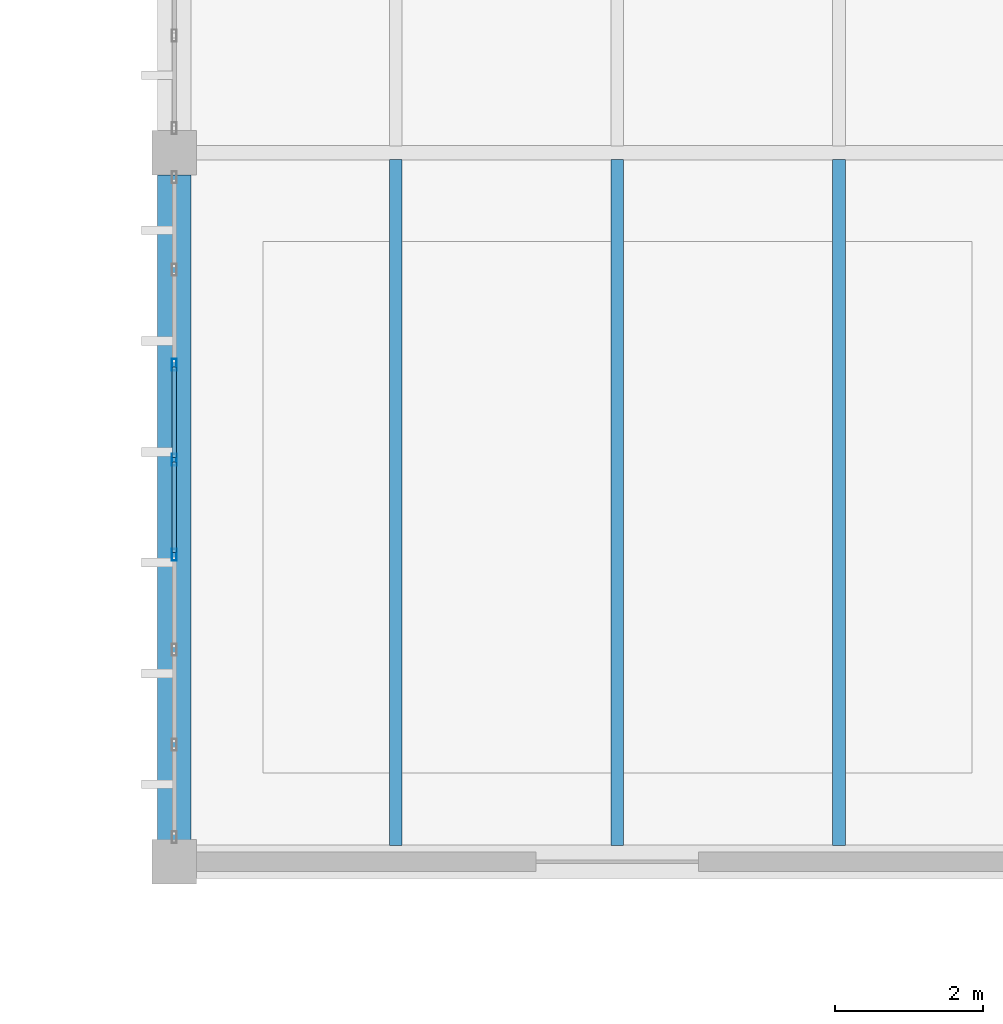
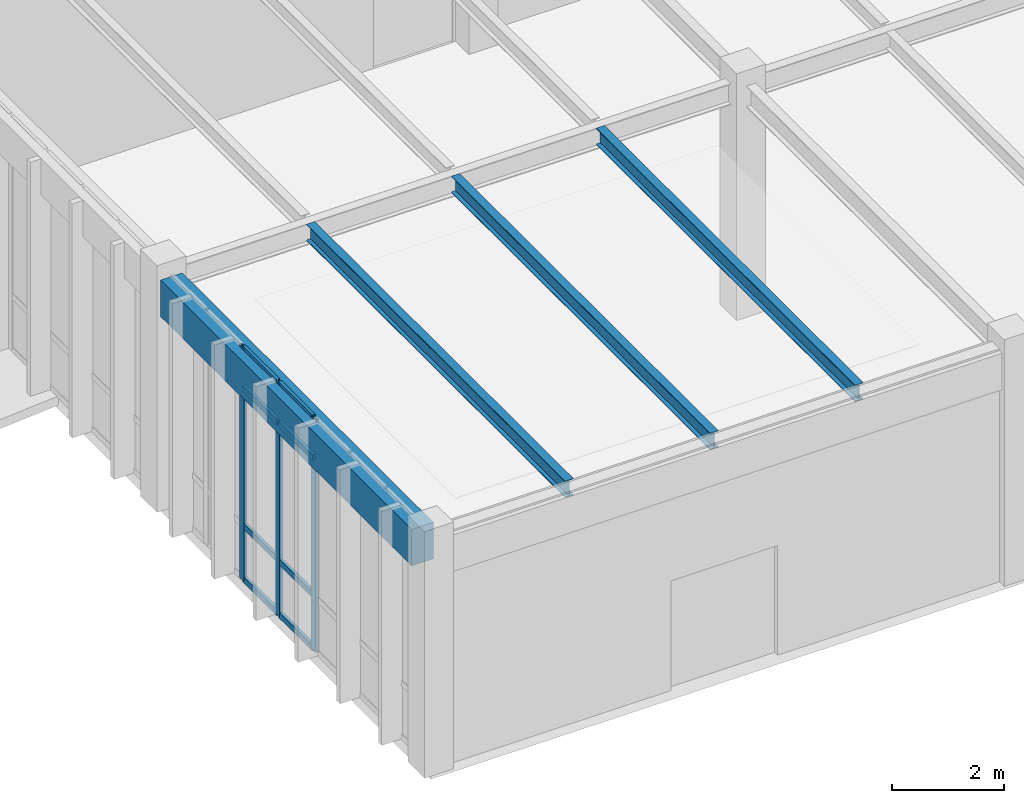
# One storey, part 85 of 188: 11 members, 4 beams, 1 element without a shape of its own.
"""IFC4 building model written with IfcOpenShell, lengths in metres."""

from ifc_helpers import new_model, si_unit, direction, frame, origin, origin_2d, place, context, subcontext, project, spatial, rectangle, hollow_rectangle, i_section, extrude, material, layer, layer_set, material_profile, profile_set, type_object, element, aggregate, save


model = new_model("IFC4")

# Units and contexts
model_context = context("Model", 3, precision=1e-05, world=origin(), true_north=direction((0.0, 1.0)))
body_context = subcontext(model_context, "Body", "Model", "MODEL_VIEW")
ifc_project = project(units=[si_unit("LENGTHUNIT", "METRE"), si_unit("AREAUNIT", "SQUARE_METRE"), si_unit("VOLUMEUNIT", "CUBIC_METRE"), si_unit("PLANEANGLEUNIT", "RADIAN"), si_unit("MASSUNIT", "GRAM", prefix="KILO")], contexts=[model_context])

# Site, building, storey
site_placement = place(None, origin())
site = spatial("IfcSite", under=ifc_project, at=site_placement, CompositionType="ELEMENT")
building_placement = place(site_placement, origin())
building = spatial("IfcBuilding", under=site, at=building_placement, Name="Pandanus Reach Market Hall", CompositionType="ELEMENT")
storey_placement = place(building_placement, origin())
storey = spatial("IfcBuildingStorey", under=building, at=storey_placement, Name="L00", CompositionType="ELEMENT", Elevation=0.0)

# Beam
ifc_material_1 = material(Name="Concrete N40 (40 MPa)", Category="concrete")
ifc_material_profile_1 = material_profile(ifc_material_1, rectangle(XDim=0.449951171875, YDim=0.800048828125, at=origin_2d()), Name="RC450x800", Category="LoadBearing")
ifc_profile_set_1 = profile_set([ifc_material_profile_1], Name="Concrete N40 (40 MPa)")
beam_type_1 = type_object("IfcBeamType", Name="BM-RC450-E", PredefinedType="SPANDREL", material=ifc_profile_set_1)
beam_placement = place(storey_placement, frame((144.0, 0.298095703125, 4.659912109375), z_axis=(0.0, 1.0, 0.0), x_axis=(-1.0, 0.0, 0.0)))
element("IfcBeam", 1, at=beam_placement, inside=storey, type_object=beam_type_1, Name="Framing beam BM-RC450-E L00.188", PredefinedType="SPANDREL", context=body_context, shape_type="SweptSolid", body=[
    extrude(rectangle(XDim=0.449951171875, YDim=0.800048828125, at=origin_2d()), origin(), (0.0, 0.0, 1.0), 9.00390625),
])

# Curtain wall, members
ifc_material_2 = material(Name="Bronze anodised aluminium and low-E glass", Category="aluminium")
ifc_layer = layer(ifc_material_2, 0.159912109375, Name="CW-26")
ifc_layer_set = layer_set([ifc_layer], Name="Bronze anodised aluminium and low-E glass")
curtain_wall_type = type_object("IfcCurtainWallType", Name="CW-26", PredefinedType="NOTDEFINED", material=ifc_layer_set)
curtain_wall_placement = place(storey_placement, origin())
curtain_wall = element("IfcCurtainWall", 2, at=curtain_wall_placement, inside=storey, type_object=curtain_wall_type, Name="Glazed curtain wall CW-26 CW-0075", PredefinedType="NOTDEFINED")
ifc_material_3 = material(Name="Bronze anodised aluminium", Category="aluminium")
ifc_material_profile_2 = material_profile(ifc_material_3, hollow_rectangle(XDim=0.06494140625, YDim=0.159912109375, WallThickness=0.00390625, at=origin_2d()), Name="ALU65x160", Category="LoadBearing")
ifc_profile_set_2 = profile_set([ifc_material_profile_2], Name="Bronze anodised aluminium")
member_type_1 = type_object("IfcMemberType", Name="CW-M1", PredefinedType="MULLION", material=ifc_profile_set_2)
member_1_placement = place(storey_placement, frame((144.0, 4.1572265625, 0.0), z_axis=(0.0, 0.0, 1.0), x_axis=(-1.0, 0.0, 0.0)))
member_1 = element("IfcMember", 3, at=member_1_placement, type_object=member_type_1, Name="CW-26 mullion 4", PredefinedType="MULLION", context=body_context, shape_type="SweptSolid", body=[
    extrude(hollow_rectangle(XDim=0.06494140625, YDim=0.159912109375, WallThickness=0.00390625, at=origin_2d()), origin(), (0.0, 0.0, 1.0), 5.10009765625),
])
member_2_placement = place(storey_placement, frame((144.0, 5.44287109375, 0.0), z_axis=(0.0, 0.0, 1.0), x_axis=(-1.0, 0.0, 0.0)))
member_2 = element("IfcMember", 4, at=member_2_placement, type_object=member_type_1, Name="CW-26 mullion 5", PredefinedType="MULLION", context=body_context, shape_type="SweptSolid", body=[
    extrude(hollow_rectangle(XDim=0.06494140625, YDim=0.159912109375, WallThickness=0.00390625, at=origin_2d()), origin(), (0.0, 0.0, 1.0), 5.10009765625),
])
member_3_placement = place(storey_placement, frame((144.0, 6.728515625, 0.0), z_axis=(0.0, 0.0, 1.0), x_axis=(-1.0, 0.0, 0.0)))
member_3 = element("IfcMember", 5, at=member_3_placement, type_object=member_type_1, Name="CW-26 mullion 6", PredefinedType="MULLION", context=body_context, shape_type="SweptSolid", body=[
    extrude(hollow_rectangle(XDim=0.06494140625, YDim=0.159912109375, WallThickness=0.00390625, at=origin_2d()), origin(), (0.0, 0.0, 1.0), 5.10009765625),
])
ifc_material_profile_3 = material_profile(ifc_material_3, hollow_rectangle(XDim=0.06494140625, YDim=0.1298828125, WallThickness=0.00390625, at=origin_2d()), Name="ALU65x130", Category="LoadBearing")
ifc_profile_set_3 = profile_set([ifc_material_profile_3], Name="Bronze anodised aluminium")
member_type_2 = type_object("IfcMemberType", Name="CW-T1", PredefinedType="USERDEFINED", material=ifc_profile_set_3)
member_4_placement = place(storey_placement, frame((144.0, 4.189697265625, 0.032470703125), z_axis=(0.0, 1.0, 0.0), x_axis=(-1.0, 0.0, 0.0)))
member_4 = element("IfcMember", 6, at=member_4_placement, type_object=member_type_2, Name="CW-26 transom 4.1", ObjectType="TRANSOM", PredefinedType="USERDEFINED", context=body_context, shape_type="SweptSolid", body=[
    extrude(hollow_rectangle(XDim=0.06494140625, YDim=0.1298828125, WallThickness=0.00390625, at=origin_2d()), origin(), (0.0, 0.0, 1.0), 1.220703125),
])
member_5_placement = place(storey_placement, frame((144.0, 4.189697265625, 1.199951171875), z_axis=(0.0, 1.0, 0.0), x_axis=(-1.0, 0.0, 0.0)))
member_5 = element("IfcMember", 7, at=member_5_placement, type_object=member_type_2, Name="CW-26 transom 4.2", ObjectType="TRANSOM", PredefinedType="USERDEFINED", context=body_context, shape_type="SweptSolid", body=[
    extrude(hollow_rectangle(XDim=0.06494140625, YDim=0.1298828125, WallThickness=0.00390625, at=origin_2d()), origin(), (0.0, 0.0, 1.0), 1.220703125),
])
member_6_placement = place(storey_placement, frame((144.0, 4.189697265625, 4.199951171875), z_axis=(0.0, 1.0, 0.0), x_axis=(-1.0, 0.0, 0.0)))
member_6 = element("IfcMember", 8, at=member_6_placement, type_object=member_type_2, Name="CW-26 transom 4.3", ObjectType="TRANSOM", PredefinedType="USERDEFINED", context=body_context, shape_type="SweptSolid", body=[
    extrude(hollow_rectangle(XDim=0.06494140625, YDim=0.1298828125, WallThickness=0.00390625, at=origin_2d()), origin(), (0.0, 0.0, 1.0), 1.220703125),
])
member_7_placement = place(storey_placement, frame((144.0, 4.189697265625, 5.0673828125), z_axis=(0.0, 1.0, 0.0), x_axis=(-1.0, 0.0, 0.0)))
member_7 = element("IfcMember", 9, at=member_7_placement, type_object=member_type_2, Name="CW-26 transom 4.4", ObjectType="TRANSOM", PredefinedType="USERDEFINED", context=body_context, shape_type="SweptSolid", body=[
    extrude(hollow_rectangle(XDim=0.06494140625, YDim=0.1298828125, WallThickness=0.00390625, at=origin_2d()), origin(), (0.0, 0.0, 1.0), 1.220703125),
])
member_8_placement = place(storey_placement, frame((144.0, 5.475341796875, 0.032470703125), z_axis=(0.0, 1.0, 0.0), x_axis=(-1.0, 0.0, 0.0)))
member_8 = element("IfcMember", 10, at=member_8_placement, type_object=member_type_2, Name="CW-26 transom 5.1", ObjectType="TRANSOM", PredefinedType="USERDEFINED", context=body_context, shape_type="SweptSolid", body=[
    extrude(hollow_rectangle(XDim=0.06494140625, YDim=0.1298828125, WallThickness=0.00390625, at=origin_2d()), origin(), (0.0, 0.0, 1.0), 1.220703125),
])
member_9_placement = place(storey_placement, frame((144.0, 5.475341796875, 1.199951171875), z_axis=(0.0, 1.0, 0.0), x_axis=(-1.0, 0.0, 0.0)))
member_9 = element("IfcMember", 11, at=member_9_placement, type_object=member_type_2, Name="CW-26 transom 5.2", ObjectType="TRANSOM", PredefinedType="USERDEFINED", context=body_context, shape_type="SweptSolid", body=[
    extrude(hollow_rectangle(XDim=0.06494140625, YDim=0.1298828125, WallThickness=0.00390625, at=origin_2d()), origin(), (0.0, 0.0, 1.0), 1.220703125),
])
member_10_placement = place(storey_placement, frame((144.0, 5.475341796875, 4.199951171875), z_axis=(0.0, 1.0, 0.0), x_axis=(-1.0, 0.0, 0.0)))
member_10 = element("IfcMember", 12, at=member_10_placement, type_object=member_type_2, Name="CW-26 transom 5.3", ObjectType="TRANSOM", PredefinedType="USERDEFINED", context=body_context, shape_type="SweptSolid", body=[
    extrude(hollow_rectangle(XDim=0.06494140625, YDim=0.1298828125, WallThickness=0.00390625, at=origin_2d()), origin(), (0.0, 0.0, 1.0), 1.220703125),
])
member_11_placement = place(storey_placement, frame((144.0, 5.475341796875, 5.0673828125), z_axis=(0.0, 1.0, 0.0), x_axis=(-1.0, 0.0, 0.0)))
member_11 = element("IfcMember", 13, at=member_11_placement, type_object=member_type_2, Name="CW-26 transom 5.4", ObjectType="TRANSOM", PredefinedType="USERDEFINED", context=body_context, shape_type="SweptSolid", body=[
    extrude(hollow_rectangle(XDim=0.06494140625, YDim=0.1298828125, WallThickness=0.00390625, at=origin_2d()), origin(), (0.0, 0.0, 1.0), 1.220703125),
])
aggregate(curtain_wall, [member_1, member_2, member_3, member_4, member_5, member_6, member_7, member_8, member_9, member_10, member_11])

# Beams
ifc_material_4 = material(Name="Steel Grade 350 (350 MPa)", Category="steel")
ifc_material_profile_4 = material_profile(ifc_material_4, i_section(OverallWidth=0.172119140625, OverallDepth=0.35888671875, WebThickness=0.008056640625, FlangeThickness=0.012939453125, at=origin_2d()), Name="360UB56.7", Category="LoadBearing")
ifc_profile_set_4 = profile_set([ifc_material_profile_4], Name="Steel Grade 350 (350 MPa)")
beam_type_2 = type_object("IfcBeamType", Name="JS-UB360H-I", PredefinedType="JOIST", material=ifc_profile_set_4)
for number, where, z_axis, x_axis, name in (
    (14, (147.0, 0.222900390625, 4.880126953125), (0.0, 1.0, 0.0), (-1.0, 0.0, 0.0), "Secondary joist JS-UB360H-I L00.228"),
    (15, (150.0, 0.222900390625, 4.880126953125), (0.0, 1.0, 0.0), (-1.0, 0.0, 0.0), "Secondary joist JS-UB360H-I L00.229"),
    (16, (153.0, 0.222900390625, 4.880126953125), (0.0, 1.0, 0.0), (-1.0, 0.0, 0.0), "Secondary joist JS-UB360H-I L00.230"),
):
    element("IfcBeam", number, at=place(storey_placement, frame(where, z_axis=z_axis, x_axis=x_axis)), inside=storey, type_object=beam_type_2, Name=name, PredefinedType="JOIST", context=body_context, shape_type="SweptSolid", body=[
        extrude(i_section(OverallWidth=0.172119140625, OverallDepth=0.35888671875, WebThickness=0.008056640625, FlangeThickness=0.012939453125, at=origin_2d()), origin(), (0.0, 0.0, 1.0), 9.28369140625),
    ])

save(model, "model.ifc")
